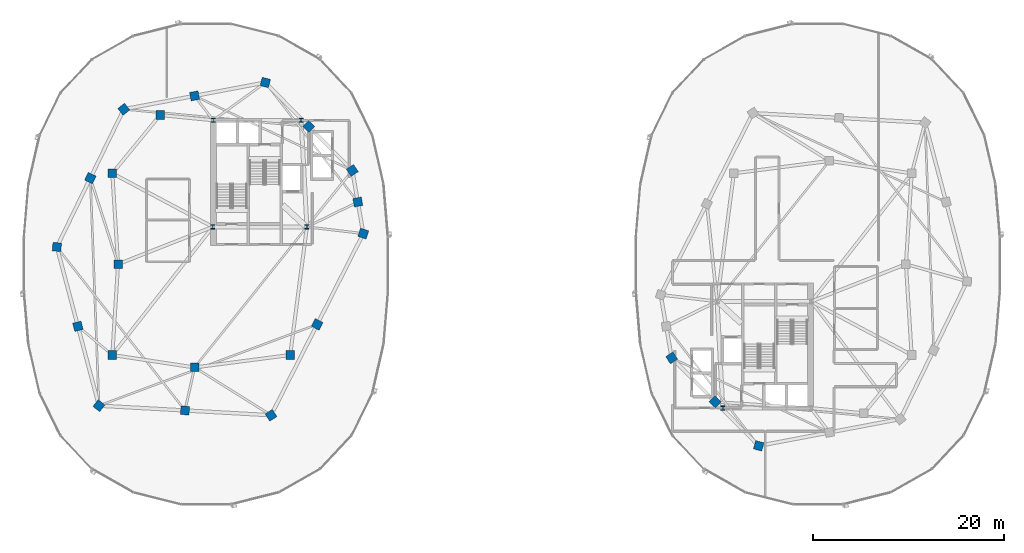
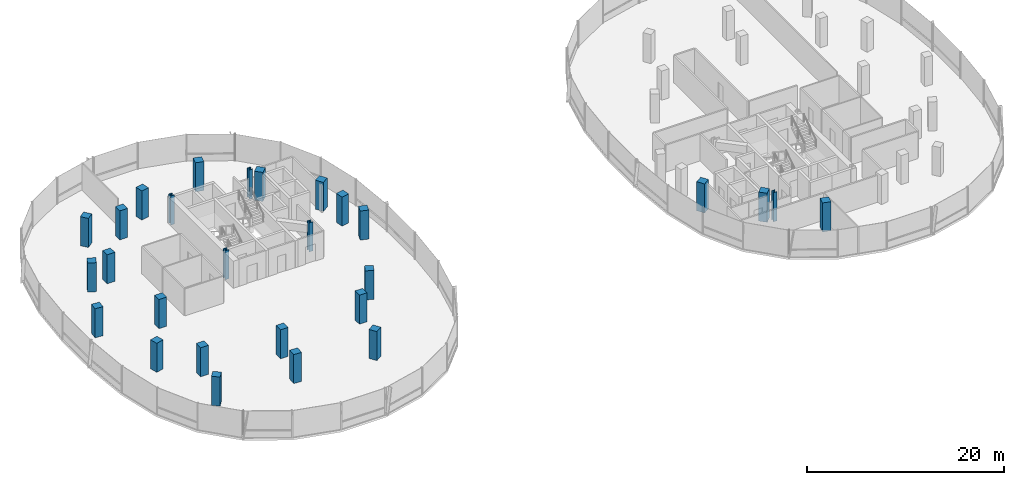
# One storey, part 1 of 24: 28 columns.
"""IFC4 building model written with IfcOpenShell, lengths in metres."""

from ifc_helpers import new_model, si_unit, direction, frame, origin, origin_2d, place, context, subcontext, project, spatial, rectangle, i_section, extrude, material, material_profile, profile_set, type_object, element, save


model = new_model("IFC4")

# Units and contexts
model_context = context("Model", 3, precision=1e-05, world=origin(), true_north=direction((0.0, 1.0)))
body_context = subcontext(model_context, "Body", "Model", "MODEL_VIEW")
ifc_project = project(units=[si_unit("LENGTHUNIT", "METRE"), si_unit("AREAUNIT", "SQUARE_METRE"), si_unit("VOLUMEUNIT", "CUBIC_METRE"), si_unit("PLANEANGLEUNIT", "RADIAN"), si_unit("MASSUNIT", "GRAM", prefix="KILO"), si_unit("THERMODYNAMICTEMPERATUREUNIT", "KELVIN"), si_unit("POWERUNIT", "WATT")], contexts=[model_context])

# Site, building, storey
site_placement = place(None, origin())
site = spatial("IfcSite", under=ifc_project, at=site_placement, CompositionType="ELEMENT")
building_placement = place(site_placement, origin())
building = spatial("IfcBuilding", under=site, at=building_placement, Name="Cundina Bronze Exchange", CompositionType="ELEMENT")
storey_placement = place(building_placement, frame((0.0, 0.0, 227.800048828125)))
storey = spatial("IfcBuildingStorey", under=building, at=storey_placement, Name="L60", CompositionType="ELEMENT", Elevation=227.800048828125)

# Columns
ifc_material_1 = material(Name="Steel ASTM A992 Grade 50", Category="steel")
ifc_material_profile_1 = material_profile(ifc_material_1, i_section(OverallWidth=0.416015625, OverallDepth=0.446044921875, WebThickness=0.0390625, FlangeThickness=0.062744140625, FilletRadius=0.01806640625, at=origin_2d()), Name="W14X342", Category="steel")
ifc_profile_set_1 = profile_set([ifc_material_profile_1], Name="Steel ASTM A992 Grade 50")
column_type_1 = type_object("IfcColumnType", Name="COL-STL-W14B", PredefinedType="COLUMN", material=ifc_profile_set_1)
for number, where, z_axis, x_axis, name in (
    (1, (-31.300048828125, 3.89990234375, 0.0), (0.0, 0.0, 1.0), (1.0, 0.0, 0.0), "L60 Core Anchor Column W1"),
    (2, (-21.449951171875, 3.89990234375, 0.0), (0.0, 0.0, 1.0), (1.0, 0.0, 0.0), "L60 Core Anchor Column W2"),
    (3, (-22.050048828125, 15.050048828125, 0.0), (0.0, 0.0, 1.0), (1.0, 0.0, 0.0), "L60 Core Anchor Column W3"),
    (4, (-31.25, 15.050048828125, 0.0), (0.0, 0.0, 1.0), (1.0, 0.0, 0.0), "L60 Core Anchor Column W4"),
    (5, (22.050048828125, -15.050048828125, 0.0), (0.0, 0.0, 1.0), (1.0, 0.0, 0.0), "L60 Core Anchor Column E3"),
):
    element("IfcColumn", number, at=place(storey_placement, frame(where, z_axis=z_axis, x_axis=x_axis)), inside=storey, type_object=column_type_1, Name=name, PredefinedType="COLUMN", context=body_context, shape_type="SweptSolid", body=[
        extrude(i_section(OverallWidth=0.416015625, OverallDepth=0.446044921875, WebThickness=0.0390625, FlangeThickness=0.062744140625, FilletRadius=0.01806640625, at=origin_2d()), origin(), (0.0, 0.0, 1.0), 3.599853515625),
    ])
ifc_material_2 = material(Name="Concrete C50/60", Category="concrete")
ifc_material_profile_2 = material_profile(ifc_material_2, rectangle(XDim=0.89990234375, YDim=0.89990234375, at=origin_2d()), Name="RC900X900", Category="concrete")
ifc_profile_set_2 = profile_set([ifc_material_profile_2], Name="Concrete C50/60")
column_type_2 = type_object("IfcColumnType", Name="COL-Z4-900", PredefinedType="COLUMN", material=ifc_profile_set_2)
for number, where, z_axis, x_axis, name in (
    (6, (-41.199951171875, 0.0, 0.0), (0.0, 0.0, 1.0), (1.0, 0.0, 0.0), "L60 W Inner Ring Column 1"),
    (7, (-41.800048828125, 9.5, 0.0), (0.0, 0.0, 1.0), (1.0, 0.0, 0.0), "L60 W Inner Ring Column 2"),
    (8, (-36.800048828125, 15.60009765625, 0.0), (0.0, 0.0, 1.0), (1.0, 0.0, 0.0), "L60 W Inner Ring Column 3"),
    (9, (-41.800048828125, -9.5, 0.0), (0.0, 0.0, 1.0), (1.0, 0.0, 0.0), "L60 W Inner Ring Column 4"),
    (10, (-33.199951171875, -10.800048828125, 0.0), (0.0, 0.0, 1.0), (1.0, 0.0, 0.0), "L60 W Inner Ring Column 5"),
    (11, (-23.199951171875, -9.5, 0.0), (0.0, 0.0, 1.0), (1.0, 0.0, 0.0), "L60 W Inner Ring Column 6"),
    (12, (-15.550048828125, 3.199951171875, 0.0), (0.0, 0.0, 1.0), (0.315152163383, 0.949041155016, 0.0), "L60 W Perimeter Column 00"),
    (13, (-16.125, 6.5, 0.0), (0.0, 0.0, 1.0), (-0.171585221787, 0.985169280715, 0.0), "L60 W Perimeter Column 01"),
    (14, (-16.699951171875, 9.800048828125, 0.0), (0.0, 0.0, 1.0), (-0.544199833495, 0.838955625301, 0.0), "L60 W Perimeter Column 02"),
    (15, (-21.25, 14.39990234375, 0.0), (0.0, 0.0, 1.0), (-0.703270634186, 0.710922228581, 0.0), "L60 W Perimeter Column 03"),
    (16, (-25.800048828125, 19.0, 0.0), (0.0, 0.0, 1.0), (-0.965970984022, 0.258650455301, 0.0), "L60 W Perimeter Column 04"),
    (17, (-33.199951171875, 17.60009765625, 0.0), (0.0, 0.0, 1.0), (-0.98258037664, -0.185838110843, 0.0), "L60 W Perimeter Column 05"),
    (18, (-40.60009765625, 16.199951171875, 0.0), (0.0, 0.0, 1.0), (-0.785100778485, -0.619368038909, 0.0), "L60 W Perimeter Column 06"),
    (19, (-44.10009765625, 9.0, 0.0), (0.0, 0.0, 1.0), (-0.437115766651, -0.899405251566, 0.0), "L60 W Perimeter Column 07"),
    (20, (-47.60009765625, 1.800048828125, 0.0), (0.0, 0.0, 1.0), (-0.083503921245, -0.996507448611, 0.0), "L60 W Perimeter Column 08"),
    (21, (-45.39990234375, -6.5, 0.0), (0.0, 0.0, 1.0), (0.256289373133, -0.966600102017, 0.0), "L60 W Perimeter Column 09"),
    (22, (-43.199951171875, -14.800048828125, 0.0), (0.0, 0.0, 1.0), (0.786288432137, -0.61785961309, 0.0), "L60 W Perimeter Column 10"),
    (23, (-34.199951171875, -15.300048828125, 0.0), (0.0, 0.0, 1.0), (0.998460188734, -0.055472980025, 0.0), "L60 W Perimeter Column 11"),
    (24, (-25.199951171875, -15.800048828125, 0.0), (0.0, 0.0, 1.0), (0.838099763533, 0.545516989988, 0.0), "L60 W Perimeter Column 12"),
    (25, (-20.375, -6.300048828125, 0.0), (0.0, 0.0, 1.0), (0.452901591366, 0.891560513111, 0.0), "L60 W Perimeter Column 13"),
    (26, (16.699951171875, -9.800048828125, 0.0), (0.0, 0.0, 1.0), (0.544199833495, -0.838955625301, 0.0), "L60 E Perimeter Column 02"),
    (27, (21.25, -14.39990234375, 0.0), (0.0, 0.0, 1.0), (0.703270634186, -0.710922228581, 0.0), "L60 E Perimeter Column 03"),
    (28, (25.800048828125, -19.0, 0.0), (0.0, 0.0, 1.0), (0.965970984022, -0.258650455301, 0.0), "L60 E Perimeter Column 04"),
):
    element("IfcColumn", number, at=place(storey_placement, frame(where, z_axis=z_axis, x_axis=x_axis)), inside=storey, type_object=column_type_2, Name=name, PredefinedType="COLUMN", context=body_context, shape_type="SweptSolid", body=[
        extrude(rectangle(XDim=0.89990234375, YDim=0.89990234375, at=origin_2d()), origin(), (0.0, 0.0, 1.0), 3.599853515625),
    ])

save(model, "model.ifc")
